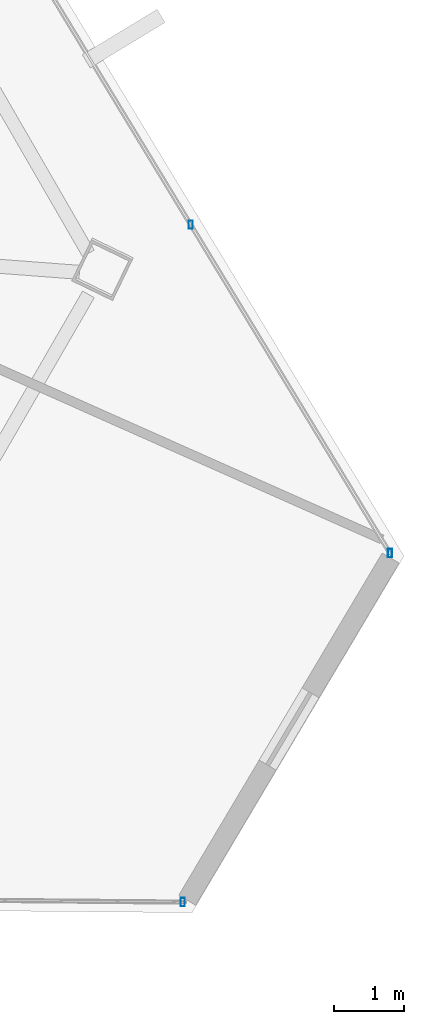
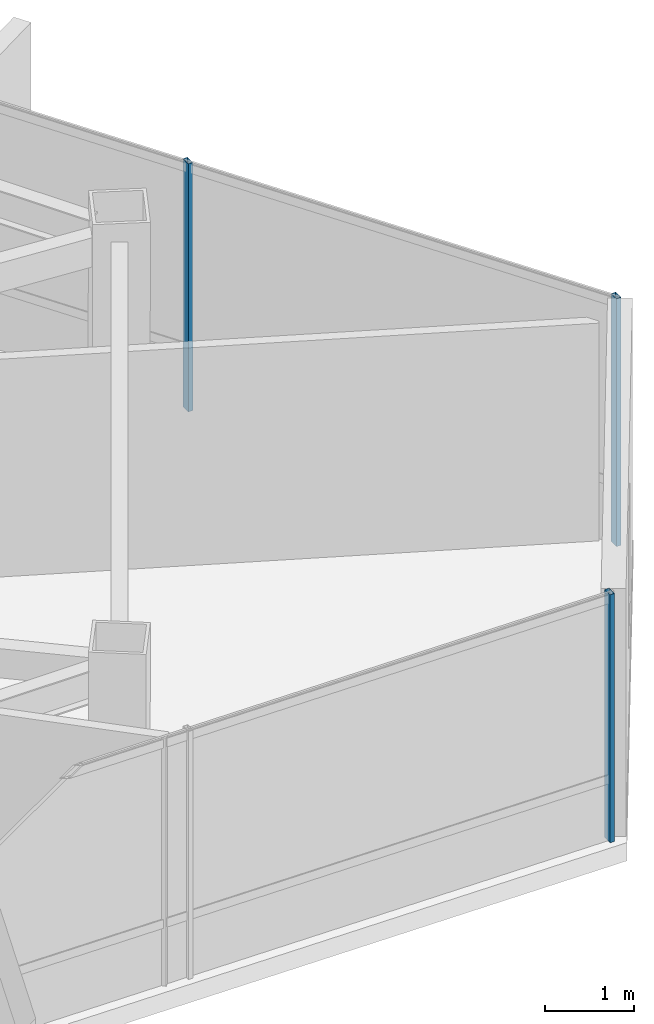
# One storey, part 26 of 46: 3 members, 2 elements without a shape of their own.
"""IFC4 building model written with IfcOpenShell, lengths in metres."""

from ifc_helpers import new_model, si_unit, direction, frame, origin, origin_2d, place, context, subcontext, project, spatial, hollow_rectangle, extrude, source, transform, mapped, material, material_profile, profile_set, type_object, type_shapes, element, aggregate, save


model = new_model("IFC4")

# Units and contexts
model_context = context("Model", 3, precision=1e-05, world=origin(), true_north=direction((0.0, 1.0)))
body_context = subcontext(model_context, "Body", "Model", "MODEL_VIEW")
ifc_project = project(units=[si_unit("LENGTHUNIT", "METRE"), si_unit("AREAUNIT", "SQUARE_METRE"), si_unit("VOLUMEUNIT", "CUBIC_METRE"), si_unit("PLANEANGLEUNIT", "RADIAN"), si_unit("MASSUNIT", "GRAM", prefix="KILO")], contexts=[model_context])

# Site, building, storey
site_placement = place(None, origin())
site = spatial("IfcSite", under=ifc_project, at=site_placement, CompositionType="ELEMENT")
building_placement = place(site_placement, origin())
building = spatial("IfcBuilding", under=site, at=building_placement, Name="Caelisora Broadcast Tower", CompositionType="ELEMENT")
storey_placement = place(building_placement, frame((0.0, 0.0, 237.14990234375)))
storey = spatial("IfcBuildingStorey", under=building, at=storey_placement, Name="L62", CompositionType="ELEMENT", Elevation=237.14990234375)

# Curtain wall, members
ifc_material_1 = material(Name="Unitised Aluminium and Low-E Glass Curtain Wall", Category="glass")
curtain_wall_type = type_object("IfcCurtainWallType", Name="CW-Z5", PredefinedType="NOTDEFINED", material=ifc_material_1)
curtain_wall_1_placement = place(storey_placement, origin())
curtain_wall_1 = element("IfcCurtainWall", 1, at=curtain_wall_1_placement, inside=storey, type_object=curtain_wall_type, Name="L62 curtain wall CW-Z5", PredefinedType="NOTDEFINED")
ifc_material_2 = material(Name="Aluminium 6063-T6 Anodised Terracotta Bronze", Category="aluminium")
ifc_material_profile = material_profile(ifc_material_2, hollow_rectangle(XDim=0.06005859375, YDim=0.1201171875, WallThickness=0.0029296875, at=origin_2d()), Name="Aluminium 6063-T6 Anodised Terracotta Bronze")
ifc_profile_set = profile_set([ifc_material_profile], Name="Aluminium 6063-T6 Anodised Terracotta Bronze")
member_type = type_object("IfcMemberType", Name="CWM-04", PredefinedType="MULLION", material=ifc_profile_set)
shared_shape = source(origin(), body_context, "Body", "SweptSolid", [
    extrude(hollow_rectangle(XDim=0.06005859375, YDim=0.1201171875, WallThickness=0.0029296875, at=origin_2d()), origin(), (0.0, 0.0, 1.0), 3.400146484375),
])
type_shapes(member_type, [shared_shape])
member_1_placement = place(storey_placement, frame((61.01513671875, 17.031494140625, 0.0), z_axis=(0.0, 0.0, 1.0), x_axis=(1.0, 0.0, 0.0)))
member_1 = element("IfcMember", 2, at=member_1_placement, type_object=member_type, Name="L62-CW-B03 mullion #2", PredefinedType="MULLION", context=body_context, shape_type="MappedRepresentation", body=[
    mapped(shared_shape, transform((0.0, 0.0, 0.0), scale=1.0)),
])
member_2_placement = place(storey_placement, frame((63.860107421875, 12.3408203125, 0.0), z_axis=(0.0, 0.0, 1.0), x_axis=(1.0, 0.0, 0.0)))
member_2 = element("IfcMember", 3, at=member_2_placement, type_object=member_type, Name="L62-CW-B03 mullion #3", PredefinedType="MULLION", context=body_context, shape_type="MappedRepresentation", body=[
    mapped(shared_shape, transform((0.0, 0.0, 0.0), scale=1.0)),
])
aggregate(curtain_wall_1, [member_1, member_2])

# Curtain wall, member
curtain_wall_2_placement = place(storey_placement, origin())
curtain_wall_2 = element("IfcCurtainWall", 4, at=curtain_wall_2_placement, inside=storey, type_object=curtain_wall_type, Name="L62 curtain wall CW-Z5", PredefinedType="NOTDEFINED")
member_3_placement = place(storey_placement, frame((60.89892578125, 7.357421875, 0.0), z_axis=(0.0, 0.0, 1.0), x_axis=(1.0, 0.0, 0.0)))
member_3 = element("IfcMember", 5, at=member_3_placement, type_object=member_type, Name="L62-CW-B05 mullion #0", PredefinedType="MULLION", context=body_context, shape_type="MappedRepresentation", body=[
    mapped(shared_shape, transform((0.0, 0.0, 0.0), scale=1.0)),
])
aggregate(curtain_wall_2, [member_3])

save(model, "model.ifc")
